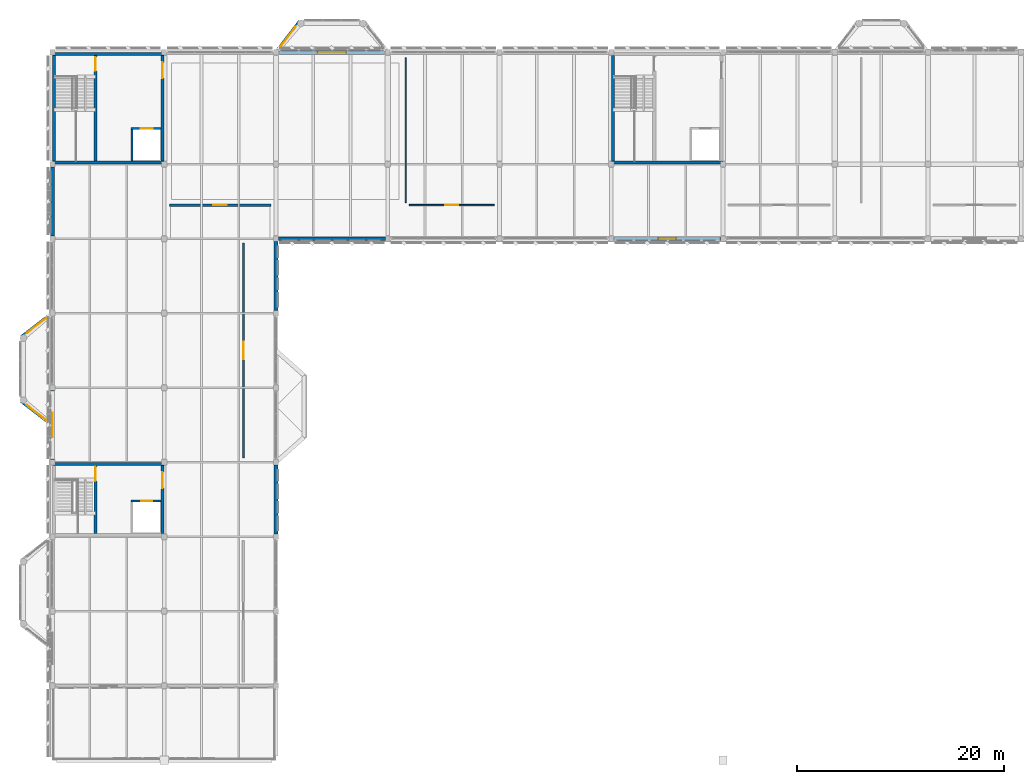
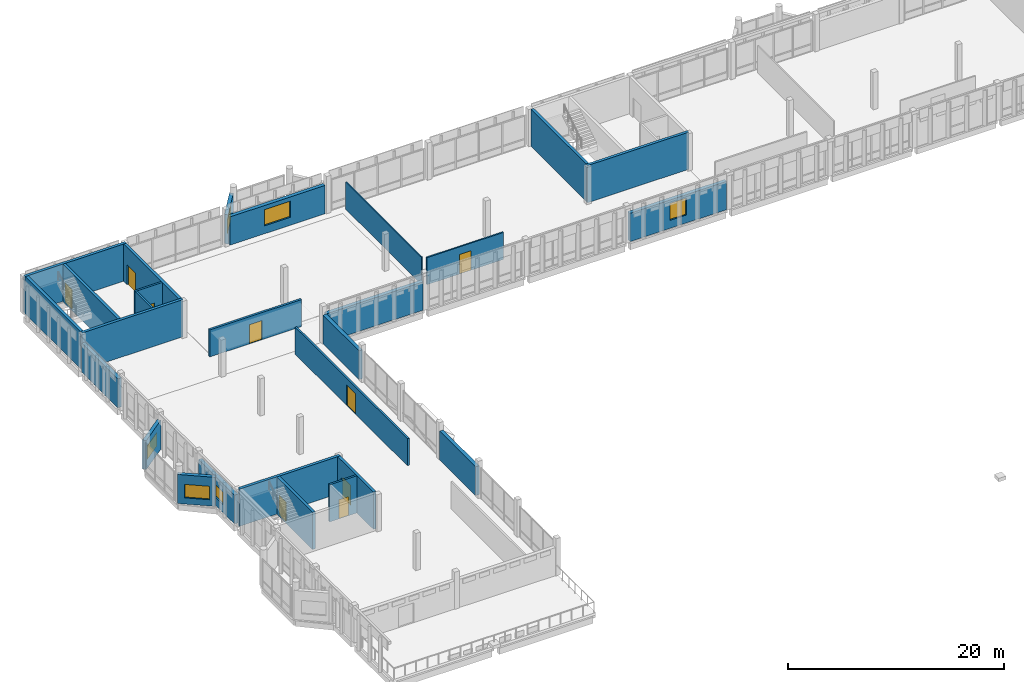
# One storey, part 57 of 72: 27 walls, 9 doors, 6 windows, 15 openings.
"""IFC4 building model written with IfcOpenShell, lengths in metres."""

from ifc_helpers import new_model, si_unit, direction, frame, frame_2d, origin, place, context, subcontext, project, spatial, rectangle, extrude, material, layer, layer_set, type_object, element, fill, save


model = new_model("IFC4")

# Units and contexts
model_context = context("Model", 3, precision=1e-05, world=origin(), true_north=direction((0.0, 1.0)))
body_context = subcontext(model_context, "Body", "Model", "MODEL_VIEW")
ifc_project = project(units=[si_unit("LENGTHUNIT", "METRE"), si_unit("AREAUNIT", "SQUARE_METRE"), si_unit("VOLUMEUNIT", "CUBIC_METRE"), si_unit("PLANEANGLEUNIT", "RADIAN"), si_unit("MASSUNIT", "GRAM", prefix="KILO")], contexts=[model_context])

# Site, building, storey
site_placement = place(None, origin())
site = spatial("IfcSite", under=ifc_project, at=site_placement, CompositionType="ELEMENT")
building_placement = place(site_placement, origin())
building = spatial("IfcBuilding", under=site, at=building_placement, Name="Lusvemor Sports Hall", CompositionType="ELEMENT")
storey_placement = place(building_placement, frame((0.0, 0.0, 15.0)))
storey = spatial("IfcBuildingStorey", under=building, at=storey_placement, Name="L03", CompositionType="ELEMENT", Elevation=15.0)

# Wall, opening, window
ifc_material_1 = material(Name="Warm terracotta Art Nouveau ceramic cladding on Concrete C40/50 backing", Category="masonry")
ifc_layer_1 = layer(ifc_material_1, 0.3798828125)
ifc_layer_set_1 = layer_set([ifc_layer_1], Name="Warm terracotta Art Nouveau ceramic cladding on Concrete C40/50 backing")
wall_type_1 = type_object("IfcWallType", Name="EW_UPPER_250", PredefinedType="STANDARD", material=ifc_layer_set_1)
wall_1_placement = place(storey_placement, frame((0.0, 75.865966796875, 0.0), z_axis=(0.0, 0.0, 1.0), x_axis=(0.0, 1.0, 0.0)))
wall_1 = element("IfcWall", 1, at=wall_1_placement, inside=storey, type_object=wall_type_1, Name="Exterior Wall EW-L03-W-0-3", PredefinedType="STANDARD", context=body_context, shape_type="SweptSolid", body=[
    extrude(rectangle(XDim=6.66796875, YDim=0.3798828125, at=frame_2d((3.333984375, 0.0))), origin(), (0.0, 0.0, 1.0), 3.260009765625),
])
opening_1_placement = place(wall_1_placement, frame((2.14404296875, 0.0, 0.89990234375)))
opening_1 = element("IfcOpeningElement", 2, at=opening_1_placement, cuts=wall_1, Name="Opening WN19", PredefinedType="OPENING", context=body_context, shape_type="SweptSolid", body=[
    extrude(rectangle(XDim=2.3798828125, YDim=1.419921875, at=frame_2d((1.18994140625, 0.7099609375))), frame((0.0, 0.18994140625, 0.0), z_axis=(0.0, -1.0, 0.0), x_axis=(1.0, 0.0, 0.0)), (0.0, 0.0, 1.0), 0.3798828125),
])
ifc_material_2 = material(Name="Solar-control laminated double glazing", Category="glass")
window_type_1 = type_object("IfcWindowType", Name="WIN_19", PartitioningType="SINGLE_PANEL", PredefinedType="WINDOW", material=ifc_material_2)
window_1_placement = place(opening_1_placement, origin())
window_1 = element("IfcWindow", 3, at=window_1_placement, inside=storey, type_object=window_type_1, Name="Wing Window L03-W-0-3", OverallHeight=1.419921875, OverallWidth=2.3798828125, PartitioningType="SINGLE_PANEL", PredefinedType="WINDOW", context=body_context, shape_type="SweptSolid", body=[
    extrude(rectangle(XDim=2.3798828125, YDim=1.419921875, at=frame_2d((1.18994140625, 0.7099609375))), frame((0.0, 0.030029296875, 0.0), z_axis=(0.0, -1.0, 0.0), x_axis=(1.0, 0.0, 0.0)), (0.0, 0.0, 1.0), 0.06005859375),
])
fill(opening_1, window_1)

# Wall
wall_2_placement = place(storey_placement, frame((0.0, 97.466064453125, 0.0), z_axis=(0.0, 0.0, 1.0), x_axis=(0.0, 1.0, 0.0)))
element("IfcWall", 4, at=wall_2_placement, inside=storey, type_object=wall_type_1, Name="Exterior Wall EW-L03-W-0-6", PredefinedType="STANDARD", context=body_context, shape_type="SweptSolid", body=[
    extrude(rectangle(XDim=6.66796875, YDim=0.3798828125, at=frame_2d((3.333984375, 0.0))), origin(), (0.0, 0.0, 1.0), 3.284912109375),
])

# Wall, opening, window
wall_3_placement = place(storey_placement, frame((21.9189453125, 115.199951171875, 0.0), z_axis=(0.0, 0.0, 1.0), x_axis=(1.0, 0.0, 0.0)))
wall_3 = element("IfcWall", 5, at=wall_3_placement, inside=storey, type_object=wall_type_1, Name="Exterior Wall EW-L03-N-1-2", PredefinedType="STANDARD", context=body_context, shape_type="SweptSolid", body=[
    extrude(rectangle(XDim=10.162109375, YDim=0.3798828125, at=frame_2d((5.0810546875, 0.0))), origin(), (0.0, 0.0, 1.0), 3.195068359375),
])
opening_2_placement = place(wall_3_placement, frame((3.7109375, 0.0, 0.89990234375)))
opening_2 = element("IfcOpeningElement", 6, at=opening_2_placement, cuts=wall_3, Name="Opening WN20", PredefinedType="OPENING", context=body_context, shape_type="SweptSolid", body=[
    extrude(rectangle(XDim=2.739990234375, YDim=1.820068359375, at=frame_2d((1.3701171875, 0.91015625))), frame((0.0, 0.18994140625, 0.0), z_axis=(0.0, -1.0, 0.0), x_axis=(1.0, 0.0, 0.0)), (0.0, 0.0, 1.0), 0.3798828125),
])
ifc_material_3 = material(Name="Solar-control laminated double glazing", Category="glass")
window_type_2 = type_object("IfcWindowType", Name="WIN_20", PartitioningType="SINGLE_PANEL", PredefinedType="WINDOW", material=ifc_material_3)
window_2_placement = place(opening_2_placement, origin())
window_2 = element("IfcWindow", 7, at=window_2_placement, inside=storey, type_object=window_type_2, Name="Wing Window L03-N-1-2", OverallHeight=1.820068359375, OverallWidth=2.739990234375, PartitioningType="SINGLE_PANEL", PredefinedType="WINDOW", context=body_context, shape_type="SweptSolid", body=[
    extrude(rectangle(XDim=2.739990234375, YDim=1.820068359375, at=frame_2d((1.3701171875, 0.91015625))), frame((0.0, 0.030029296875, 0.0), z_axis=(0.0, -1.0, 0.0), x_axis=(1.0, 0.0, 0.0)), (0.0, 0.0, 1.0), 0.06005859375),
])
fill(opening_2, window_2)

# Wall
wall_4_placement = place(storey_placement, frame((32.1640625, 97.199951171875, 0.0), z_axis=(0.0, 0.0, 1.0), x_axis=(-1.0, 0.0, 0.0)))
element("IfcWall", 8, at=wall_4_placement, inside=storey, type_object=wall_type_1, Name="Exterior Wall EW-L03-S-3-0", PredefinedType="STANDARD", context=body_context, shape_type="SweptSolid", body=[
    extrude(rectangle(XDim=10.328125, YDim=0.3798828125, at=frame_2d((5.1640625, 0.0))), origin(), (0.0, 0.0, 1.0), 3.195068359375),
])

# Wall, opening, window
wall_5_placement = place(storey_placement, frame((64.56396484375, 97.199951171875, 0.0), z_axis=(0.0, 0.0, 1.0), x_axis=(-1.0, 0.0, 0.0)))
wall_5 = element("IfcWall", 9, at=wall_5_placement, inside=storey, type_object=wall_type_1, Name="Exterior Wall EW-L03-S-3-3", PredefinedType="STANDARD", context=body_context, shape_type="SweptSolid", body=[
    extrude(rectangle(XDim=10.327880859375, YDim=0.3798828125, at=frame_2d((5.1640625, 0.0))), origin(), (0.0, 0.0, 1.0), 3.195068359375),
])
opening_3_placement = place(wall_5_placement, frame((4.303955078125, 0.0, 0.89990234375)))
opening_3 = element("IfcOpeningElement", 10, at=opening_3_placement, cuts=wall_5, Name="Opening WN25", PredefinedType="OPENING", context=body_context, shape_type="SweptSolid", body=[
    extrude(rectangle(XDim=1.719970703125, YDim=1.919921875, at=frame_2d((0.85986328125, 0.9599609375))), frame((0.0, 0.18994140625, 0.0), z_axis=(0.0, -1.0, 0.0), x_axis=(1.0, 0.0, 0.0)), (0.0, 0.0, 1.0), 0.3798828125),
])
ifc_material_4 = material(Name="Solar-control laminated double glazing", Category="glass")
window_type_3 = type_object("IfcWindowType", Name="WIN_25", PartitioningType="SINGLE_PANEL", PredefinedType="WINDOW", material=ifc_material_4)
window_3_placement = place(opening_3_placement, origin())
window_3 = element("IfcWindow", 11, at=window_3_placement, inside=storey, type_object=window_type_3, Name="Wing Window L03-S-3-3", OverallHeight=1.919921875, OverallWidth=1.719970703125, PartitioningType="SINGLE_PANEL", PredefinedType="WINDOW", context=body_context, shape_type="SweptSolid", body=[
    extrude(rectangle(XDim=1.719970703125, YDim=1.919921875, at=frame_2d((0.85986328125, 0.9599609375))), frame((0.0, 0.030029296875, 0.0), z_axis=(0.0, -1.0, 0.0), x_axis=(1.0, 0.0, 0.0)), (0.0, 0.0, 1.0), 0.06005859375),
])
fill(opening_3, window_3)

# Walls
for number, where, z_axis, x_axis, name in (
    (12, (21.60009765625, 75.333984375, 0.0), (0.0, 0.0, 1.0), (0.0, -1.0, 0.0), "Exterior Wall EW-L03-E-4-2"),
    (13, (21.60009765625, 96.93408203125, 0.0), (0.0, 0.0, 1.0), (0.0, -1.0, 0.0), "Exterior Wall EW-L03-E-4-5"),
):
    element("IfcWall", number, at=place(storey_placement, frame(where, z_axis=z_axis, x_axis=x_axis)), inside=storey, type_object=wall_type_1, Name=name, PredefinedType="STANDARD", context=body_context, shape_type="SweptSolid", body=[
        extrude(rectangle(XDim=6.66796875, YDim=0.3798828125, at=frame_2d((3.333984375, 0.0))), origin(), (0.0, 0.0, 1.0), 3.260009765625),
    ])

# Wall, opening, window
ifc_material_5 = material(Name="Emerald polychrome glazed ceramic cladding on Concrete C40/50 backing", Category="concrete")
ifc_layer_2 = layer(ifc_material_5, 0.364990234375)
ifc_layer_set_2 = layer_set([ifc_layer_2], Name="Emerald polychrome glazed ceramic cladding on Concrete C40/50 backing")
wall_type_2 = type_object("IfcWallType", Name="EW_WAVE_CER_365", PredefinedType="STANDARD", material=ifc_layer_set_2)
wall_6_placement = place(storey_placement, frame((-0.189697265625, 79.346923828125, 0.0), z_axis=(0.0, 0.0, 1.0), x_axis=(-0.790723707614, 0.612173192991, 0.0)))
wall_6 = element("IfcWall", 14, at=wall_6_placement, inside=storey, type_object=wall_type_2, Name="Art Nouveau Bow Wall EW-BOW-W2-L03-1", PredefinedType="STANDARD", context=body_context, shape_type="SweptSolid", body=[
    extrude(rectangle(XDim=3.560546875, YDim=0.364990234375, at=frame_2d((1.7802734375, 0.0))), origin(), (0.0, 0.0, 1.0), 3.280029296875),
])
opening_4_placement = place(wall_6_placement, frame((0.56005859375, 0.0, 0.699951171875)))
opening_4 = element("IfcOpeningElement", 15, at=opening_4_placement, cuts=wall_6, Name="Opening WN21", PredefinedType="OPENING", context=body_context, shape_type="SweptSolid", body=[
    extrude(rectangle(XDim=2.320068359375, YDim=1.52001953125, at=frame_2d((1.16015625, 0.760009765625))), frame((0.0, 0.1826171875, 0.0), z_axis=(0.0, -1.0, 0.0), x_axis=(1.0, 0.0, 0.0)), (0.0, 0.0, 1.0), 0.364990234375),
])
ifc_material_6 = material(Name="Solar-control laminated double glazing", Category="glass")
window_type_4 = type_object("IfcWindowType", Name="WIN_21", PartitioningType="SINGLE_PANEL", PredefinedType="WINDOW", material=ifc_material_6)
window_4_placement = place(opening_4_placement, origin())
window_4 = element("IfcWindow", 16, at=window_4_placement, inside=storey, type_object=window_type_4, Name="Art Nouveau Bow Window BOW-W2 L03-1", OverallHeight=1.52001953125, OverallWidth=2.320068359375, PartitioningType="SINGLE_PANEL", PredefinedType="WINDOW", context=body_context, shape_type="SweptSolid", body=[
    extrude(rectangle(XDim=2.320068359375, YDim=1.52001953125, at=frame_2d((1.16015625, 0.760009765625))), frame((0.0, 0.030029296875, 0.0), z_axis=(0.0, -1.0, 0.0), x_axis=(1.0, 0.0, 0.0)), (0.0, 0.0, 1.0), 0.06005859375),
])
fill(opening_4, window_4)

wall_7_placement = place(storey_placement, frame((-3.005126953125, 87.673583984375, 0.0), z_axis=(0.0, 0.0, 1.0), x_axis=(0.790714138773, 0.612185552545, 0.0)))
wall_7 = element("IfcWall", 17, at=wall_7_placement, inside=storey, type_object=wall_type_2, Name="Art Nouveau Bow Wall EW-BOW-W2-L03-3", PredefinedType="STANDARD", context=body_context, shape_type="SweptSolid", body=[
    extrude(rectangle(XDim=3.585693359375, YDim=0.364990234375, at=frame_2d((1.79296875, 0.0))), origin(), (0.0, 0.0, 1.0), 3.280029296875),
])
opening_5_placement = place(wall_7_placement, frame((0.679931640625, 0.0, 0.699951171875)))
opening_5 = element("IfcOpeningElement", 18, at=opening_5_placement, cuts=wall_7, Name="Opening WN21", PredefinedType="OPENING", context=body_context, shape_type="SweptSolid", body=[
    extrude(rectangle(XDim=2.320068359375, YDim=1.52001953125, at=frame_2d((1.16015625, 0.760009765625))), frame((0.0, 0.1826171875, 0.0), z_axis=(0.0, -1.0, 0.0), x_axis=(1.0, 0.0, 0.0)), (0.0, 0.0, 1.0), 0.364990234375),
])
window_5_placement = place(opening_5_placement, origin())
window_5 = element("IfcWindow", 19, at=window_5_placement, inside=storey, type_object=window_type_4, Name="Art Nouveau Bow Window BOW-W2 L03-3", OverallHeight=1.52001953125, OverallWidth=2.320068359375, PartitioningType="SINGLE_PANEL", PredefinedType="WINDOW", context=body_context, shape_type="SweptSolid", body=[
    extrude(rectangle(XDim=2.320068359375, YDim=1.52001953125, at=frame_2d((1.16015625, 0.760009765625))), frame((0.0, 0.030029296875, 0.0), z_axis=(0.0, -1.0, 0.0), x_axis=(1.0, 0.0, 0.0)), (0.0, 0.0, 1.0), 0.06005859375),
])
fill(opening_5, window_5)

wall_8_placement = place(storey_placement, frame((21.746826171875, 115.389892578125, 0.0), z_axis=(0.0, 0.0, 1.0), x_axis=(0.612206385164, 0.790698009334, 0.0)))
wall_8 = element("IfcWall", 20, at=wall_8_placement, inside=storey, type_object=wall_type_2, Name="Art Nouveau Bow Wall EW-BOW-N1-L03-1", PredefinedType="STANDARD", context=body_context, shape_type="SweptSolid", body=[
    extrude(rectangle(XDim=3.560302734375, YDim=0.364990234375, at=frame_2d((1.7802734375, 0.0))), origin(), (0.0, 0.0, 1.0), 3.280029296875),
])
opening_6_placement = place(wall_8_placement, frame((0.56005859375, 0.0, 0.699951171875)))
opening_6 = element("IfcOpeningElement", 21, at=opening_6_placement, cuts=wall_8, Name="Opening WN21", PredefinedType="OPENING", context=body_context, shape_type="SweptSolid", body=[
    extrude(rectangle(XDim=2.320068359375, YDim=1.52001953125, at=frame_2d((1.16015625, 0.760009765625))), frame((0.0, 0.1826171875, 0.0), z_axis=(0.0, -1.0, 0.0), x_axis=(1.0, 0.0, 0.0)), (0.0, 0.0, 1.0), 0.364990234375),
])
window_6_placement = place(opening_6_placement, origin())
window_6 = element("IfcWindow", 22, at=window_6_placement, inside=storey, type_object=window_type_4, Name="Art Nouveau Bow Window BOW-N1 L03-1", OverallHeight=1.52001953125, OverallWidth=2.320068359375, PartitioningType="SINGLE_PANEL", PredefinedType="WINDOW", context=body_context, shape_type="SweptSolid", body=[
    extrude(rectangle(XDim=2.320068359375, YDim=1.52001953125, at=frame_2d((1.16015625, 0.760009765625))), frame((0.0, 0.030029296875, 0.0), z_axis=(0.0, -1.0, 0.0), x_axis=(1.0, 0.0, 0.0)), (0.0, 0.0, 1.0), 0.06005859375),
])
fill(opening_6, window_6)

# Wall, opening, door
ifc_material_7 = material(Name="Double-leaf acoustic gypsum board on metal studs")
ifc_layer_3 = layer(ifc_material_7, 0.199951171875)
ifc_layer_set_3 = layer_set([ifc_layer_3], Name="Double-leaf acoustic gypsum board on metal studs")
wall_type_3 = type_object("IfcWallType", Name="IW_ACOUST_202", PredefinedType="STANDARD", material=ifc_layer_set_3)
wall_9_placement = place(storey_placement, frame((18.449951171875, 76.0, 0.0), z_axis=(0.0, 0.0, 1.0), x_axis=(0.0, 1.0, 0.0)))
wall_9 = element("IfcWall", 23, at=wall_9_placement, inside=storey, type_object=wall_type_3, Name="Partition IW-L03-W-DANCE4", PredefinedType="STANDARD", context=body_context, shape_type="SweptSolid", body=[
    extrude(rectangle(XDim=20.800048828125, YDim=0.199951171875, at=frame_2d((10.39990234375, 0.0))), origin(), (0.0, 0.0, 1.0), 3.06005859375),
])
opening_7_placement = place(wall_9_placement, frame((9.570068359375, 0.0, 0.0)))
opening_7 = element("IfcOpeningElement", 24, at=opening_7_placement, cuts=wall_9, Name="Opening ID06", PredefinedType="OPENING", context=body_context, shape_type="SweptSolid", body=[
    extrude(rectangle(XDim=1.659912109375, YDim=2.320068359375, at=frame_2d((0.830078125, 1.16015625))), frame((0.0, 0.10009765625, 0.0), z_axis=(0.0, -1.0, 0.0), x_axis=(1.0, 0.0, 0.0)), (0.0, 0.0, 1.0), 0.199951171875),
])
ifc_material_8 = material(Name="Acoustic solid-core hardwood door leaf in steel frame", Category="steel")
door_type_1 = type_object("IfcDoorType", Name="IDR_DANCE_166", OperationType="NOTDEFINED", PredefinedType="DOOR", material=ifc_material_8)
door_1_placement = place(opening_7_placement, origin())
door_1 = element("IfcDoor", 25, at=door_1_placement, inside=storey, type_object=door_type_1, Name="DR-199", OperationType="SINGLE_SWING_LEFT", OverallHeight=2.320068359375, OverallWidth=1.659912109375, PredefinedType="DOOR", context=body_context, shape_type="SweptSolid", body=[
    extrude(rectangle(XDim=1.659912109375, YDim=2.320068359375, at=frame_2d((0.830078125, 1.16015625))), frame((0.0, 0.02490234375, 0.0), z_axis=(0.0, -1.0, 0.0), x_axis=(1.0, 0.0, 0.0)), (0.0, 0.0, 1.0), 0.050048828125),
])
fill(opening_7, door_1)

# Wall
ifc_material_9 = material(Name="Double-leaf acoustic gypsum board on metal studs")
ifc_layer_4 = layer(ifc_material_9, 0.1201171875)
ifc_layer_set_4 = layer_set([ifc_layer_4], Name="Double-leaf acoustic gypsum board on metal studs")
wall_type_4 = type_object("IfcWallType", Name="IW_PART_124", PredefinedType="STANDARD", material=ifc_layer_set_4)
wall_10_placement = place(storey_placement, frame((34.14990234375, 100.699951171875, 0.0), z_axis=(0.0, 0.0, 1.0), x_axis=(0.0, 1.0, 0.0)))
element("IfcWall", 26, at=wall_10_placement, inside=storey, type_object=wall_type_4, Name="Partition IW-L03-CNNDIV-34", PredefinedType="STANDARD", context=body_context, shape_type="SweptSolid", body=[
    extrude(rectangle(XDim=14.0, YDim=0.1201171875, at=frame_2d((7.0, 0.0))), origin(), (0.0, 0.0, 1.0), 3.06005859375),
])

# Wall, opening, door
ifc_material_10 = material(Name="Double-leaf acoustic gypsum board on metal studs")
ifc_layer_5 = layer(ifc_material_10, 0.14990234375)
ifc_layer_set_5 = layer_set([ifc_layer_5], Name="Double-leaf acoustic gypsum board on metal studs")
wall_type_5 = type_object("IfcWallType", Name="IW_PART_152", PredefinedType="STANDARD", material=ifc_layer_set_5)
wall_11_placement = place(storey_placement, frame((34.5, 100.449951171875, 0.0), z_axis=(0.0, 0.0, 1.0), x_axis=(1.0, 0.0, 0.0)))
wall_11 = element("IfcWall", 27, at=wall_11_placement, inside=storey, type_object=wall_type_5, Name="Partition IW-L03-CNN-CLIN6", PredefinedType="STANDARD", context=body_context, shape_type="SweptSolid", body=[
    extrude(rectangle(XDim=8.199951171875, YDim=0.14990234375, at=frame_2d((4.10009765625, 0.0))), origin(), (0.0, 0.0, 1.0), 3.06005859375),
])
opening_8_placement = place(wall_11_placement, frame((3.469970703125, 0.0, 0.0)))
opening_8 = element("IfcOpeningElement", 28, at=opening_8_placement, cuts=wall_11, Name="Opening ID07", PredefinedType="OPENING", context=body_context, shape_type="SweptSolid", body=[
    extrude(rectangle(XDim=1.260009765625, YDim=2.199951171875, at=frame_2d((0.6298828125, 1.10009765625))), frame((0.0, 0.074951171875, 0.0), z_axis=(0.0, -1.0, 0.0), x_axis=(1.0, 0.0, 0.0)), (0.0, 0.0, 1.0), 0.14990234375),
])
ifc_material_11 = material(Name="Acoustic solid-core hardwood door leaf in steel frame", Category="steel")
door_type_2 = type_object("IfcDoorType", Name="IDR_CLINIC_126", OperationType="NOTDEFINED", PredefinedType="DOOR", material=ifc_material_11)
door_2_placement = place(opening_8_placement, origin())
door_2 = element("IfcDoor", 29, at=door_2_placement, inside=storey, type_object=door_type_2, Name="DR-201", OperationType="SINGLE_SWING_LEFT", OverallHeight=2.199951171875, OverallWidth=1.260009765625, PredefinedType="DOOR", context=body_context, shape_type="SweptSolid", body=[
    extrude(rectangle(XDim=1.260009765625, YDim=2.199951171875, at=frame_2d((0.6298828125, 1.10009765625))), frame((0.0, 0.02490234375, 0.0), z_axis=(0.0, -1.0, 0.0), x_axis=(1.0, 0.0, 0.0)), (0.0, 0.0, 1.0), 0.050048828125),
])
fill(opening_8, door_2)

ifc_material_12 = material(Name="Concrete C40/50", Category="concrete")
ifc_layer_6 = layer(ifc_material_12, 0.2099609375)
ifc_layer_set_6 = layer_set([ifc_layer_6], Name="Concrete C40/50")
wall_type_6 = type_object("IfcWallType", Name="IW_SHFT_212", PredefinedType="STANDARD", material=ifc_layer_set_6)
wall_12_placement = place(storey_placement, frame((7.590087890625, 107.85009765625, 0.0), z_axis=(0.0, 0.0, 1.0), x_axis=(1.0, 0.0, 0.0)))
wall_12 = element("IfcWall", 30, at=wall_12_placement, inside=storey, type_object=wall_type_6, Name="Lift LF-01 Shaft Front Wall (L03)", PredefinedType="STANDARD", context=body_context, shape_type="SweptSolid", body=[
    extrude(rectangle(XDim=2.909912109375, YDim=0.2099609375, at=frame_2d((1.455078125, 0.0))), origin(), (0.0, 0.0, 1.0), 4.199951171875),
])
opening_9_placement = place(wall_12_placement, frame((0.93994140625, 0.0, 0.0)))
opening_9 = element("IfcOpeningElement", 31, at=opening_9_placement, cuts=wall_12, Name="Opening LD-01", PredefinedType="OPENING", context=body_context, shape_type="SweptSolid", body=[
    extrude(rectangle(XDim=1.139892578125, YDim=2.159912109375, at=frame_2d((0.56982421875, 1.080078125))), frame((0.0, 0.10498046875, 0.0), z_axis=(0.0, -1.0, 0.0), x_axis=(1.0, 0.0, 0.0)), (0.0, 0.0, 1.0), 0.2099609375),
])
ifc_material_13 = material(Name="Brushed stainless-steel sliding lift landing door", Category="steel")
door_type_3 = type_object("IfcDoorType", Name="LIFT_DOOR_FF_114", OperationType="NOTDEFINED", PredefinedType="DOOR", material=ifc_material_13)
door_3_placement = place(opening_9_placement, origin())
door_3 = element("IfcDoor", 32, at=door_3_placement, inside=storey, type_object=door_type_3, Name="DR-040", OperationType="SLIDING_TO_LEFT", OverallHeight=2.159912109375, OverallWidth=1.139892578125, PredefinedType="DOOR", context=body_context, shape_type="SweptSolid", body=[
    extrude(rectangle(XDim=1.139892578125, YDim=2.159912109375, at=frame_2d((0.56982421875, 1.080078125))), frame((0.0, 0.02490234375, 0.0), z_axis=(0.0, -1.0, 0.0), x_axis=(1.0, 0.0, 0.0)), (0.0, 0.0, 1.0), 0.050048828125),
])
fill(opening_9, door_3)

# Wall
wall_13_placement = place(storey_placement, frame((7.695068359375, 104.699951171875, 0.0), z_axis=(0.0, 0.0, 1.0), x_axis=(0.0, 1.0, 0.0)))
element("IfcWall", 33, at=wall_13_placement, inside=storey, type_object=wall_type_6, Name="Lift LF-01 Shaft Side Wall (L03)", PredefinedType="STANDARD", context=body_context, shape_type="SweptSolid", body=[
    extrude(rectangle(XDim=3.045166015625, YDim=0.2099609375, at=frame_2d((1.5224609375, 0.0))), origin(), (0.0, 0.0, 1.0), 4.199951171875),
])

# Wall, opening, door
wall_14_placement = place(storey_placement, frame((7.590087890625, 71.85009765625, 0.0), z_axis=(0.0, 0.0, 1.0), x_axis=(1.0, 0.0, 0.0)))
wall_14 = element("IfcWall", 34, at=wall_14_placement, inside=storey, type_object=wall_type_6, Name="Lift LP-02 Shaft Front Wall (L03)", PredefinedType="STANDARD", context=body_context, shape_type="SweptSolid", body=[
    extrude(rectangle(XDim=2.909912109375, YDim=0.2099609375, at=frame_2d((1.455078125, 0.0))), origin(), (0.0, 0.0, 1.0), 4.199951171875),
])
opening_10_placement = place(wall_14_placement, frame((0.989990234375, 0.0, 0.0)))
opening_10 = element("IfcOpeningElement", 35, at=opening_10_placement, cuts=wall_14, Name="Opening LD-02", PredefinedType="OPENING", context=body_context, shape_type="SweptSolid", body=[
    extrude(rectangle(XDim=1.0400390625, YDim=2.159912109375, at=frame_2d((0.52001953125, 1.080078125))), frame((0.0, 0.10498046875, 0.0), z_axis=(0.0, -1.0, 0.0), x_axis=(1.0, 0.0, 0.0)), (0.0, 0.0, 1.0), 0.2099609375),
])
ifc_material_14 = material(Name="Brushed stainless-steel sliding lift landing door", Category="steel")
door_type_4 = type_object("IfcDoorType", Name="LIFT_DOOR_PAX_104", OperationType="NOTDEFINED", PredefinedType="DOOR", material=ifc_material_14)
door_4_placement = place(opening_10_placement, origin())
door_4 = element("IfcDoor", 36, at=door_4_placement, inside=storey, type_object=door_type_4, Name="DR-071", OperationType="SLIDING_TO_LEFT", OverallHeight=2.159912109375, OverallWidth=1.0400390625, PredefinedType="DOOR", context=body_context, shape_type="SweptSolid", body=[
    extrude(rectangle(XDim=1.0400390625, YDim=2.159912109375, at=frame_2d((0.52001953125, 1.080078125))), frame((0.0, 0.02490234375, 0.0), z_axis=(0.0, -1.0, 0.0), x_axis=(1.0, 0.0, 0.0)), (0.0, 0.0, 1.0), 0.050048828125),
])
fill(opening_10, door_4)

ifc_material_15 = material(Name="Moisture-resistant tiled plumbing service wall")
ifc_layer_7 = layer(ifc_material_15, 0.22998046875)
ifc_layer_set_7 = layer_set([ifc_layer_7], Name="Moisture-resistant tiled plumbing service wall")
wall_type_7 = type_object("IfcWallType", Name="PW_WET_234", PredefinedType="PLUMBINGWALL", material=ifc_layer_set_7)
wall_15_placement = place(storey_placement, frame((11.300048828125, 100.449951171875, 0.0), z_axis=(0.0, 0.0, 1.0), x_axis=(1.0, 0.0, 0.0)))
wall_15 = element("IfcWall", 37, at=wall_15_placement, inside=storey, type_object=wall_type_7, Name="Partition IW-L03-CNN-CHGTRK", PredefinedType="PLUMBINGWALL", context=body_context, shape_type="SweptSolid", body=[
    extrude(rectangle(XDim=9.800048828125, YDim=0.22998046875, at=frame_2d((4.89990234375, 0.0))), origin(), (0.0, 0.0, 1.0), 3.06005859375),
])
opening_11_placement = place(wall_15_placement, frame((4.239990234375, 0.0, 0.0)))
opening_11 = element("IfcOpeningElement", 38, at=opening_11_placement, cuts=wall_15, Name="Opening ID09", PredefinedType="OPENING", context=body_context, shape_type="SweptSolid", body=[
    extrude(rectangle(XDim=1.320068359375, YDim=2.159912109375, at=frame_2d((0.66015625, 1.080078125))), frame((0.0, 0.114990234375, 0.0), z_axis=(0.0, -1.0, 0.0), x_axis=(1.0, 0.0, 0.0)), (0.0, 0.0, 1.0), 0.22998046875),
])
ifc_material_16 = material(Name="Acoustic solid-core hardwood door leaf in steel frame", Category="steel")
door_type_5 = type_object("IfcDoorType", Name="IDR_CHG_132", OperationType="NOTDEFINED", PredefinedType="DOOR", material=ifc_material_16)
door_5_placement = place(opening_11_placement, origin())
door_5 = element("IfcDoor", 39, at=door_5_placement, inside=storey, type_object=door_type_5, Name="DR-200", OperationType="SINGLE_SWING_RIGHT", OverallHeight=2.159912109375, OverallWidth=1.320068359375, PredefinedType="DOOR", context=body_context, shape_type="SweptSolid", body=[
    extrude(rectangle(XDim=1.320068359375, YDim=2.159912109375, at=frame_2d((0.66015625, 1.080078125))), frame((0.0, 0.02490234375, 0.0), z_axis=(0.0, -1.0, 0.0), x_axis=(1.0, 0.0, 0.0)), (0.0, 0.0, 1.0), 0.050048828125),
])
fill(opening_11, door_5)

# Walls
ifc_material_17 = material(Name="Concrete C40/50", Category="concrete")
ifc_layer_8 = layer(ifc_material_17, 0.300048828125)
ifc_layer_set_8 = layer_set([ifc_layer_8], Name="Concrete C40/50")
wall_type_8 = type_object("IfcWallType", Name="WALL_CORE_300_INT", PredefinedType="SHEAR", material=ifc_layer_set_8)
for number, where, z_axis, x_axis, name in (
    (40, (10.800048828125, 104.550048828125, 0.0), (0.0, 0.0, 1.0), (-1.0, 0.0, 0.0), "Core C1 Northwest Shear Wall S (L03)"),
    (41, (0.0, 115.050048828125, 0.0), (0.0, 0.0, 1.0), (1.0, 0.0, 0.0), "Core C1 Northwest Shear Wall N (L03)"),
):
    element("IfcWall", number, at=place(storey_placement, frame(where, z_axis=z_axis, x_axis=x_axis)), inside=storey, type_object=wall_type_8, Name=name, PredefinedType="SHEAR", context=body_context, shape_type="SweptSolid", body=[
        extrude(rectangle(XDim=10.800048828125, YDim=0.300048828125, at=frame_2d((5.39990234375, 0.0))), origin(), (0.0, 0.0, 1.0), 4.199951171875),
    ])

# Wall, opening, door
wall_16_placement = place(storey_placement, frame((10.64990234375, 114.89990234375, 0.0), z_axis=(0.0, 0.0, 1.0), x_axis=(0.0, -1.0, 0.0)))
wall_16 = element("IfcWall", 42, at=wall_16_placement, inside=storey, type_object=wall_type_8, Name="Core C1 Northwest Shear Wall E (L03)", PredefinedType="SHEAR", context=body_context, shape_type="SweptSolid", body=[
    extrude(rectangle(XDim=10.199951171875, YDim=0.300048828125, at=frame_2d((5.10009765625, 0.0))), origin(), (0.0, 0.0, 1.0), 4.199951171875),
])
opening_12_placement = place(wall_16_placement, frame((0.64990234375, 0.0, 0.0)))
opening_12 = element("IfcOpeningElement", 43, at=opening_12_placement, cuts=wall_16, Name="Opening DR-FD60-01", PredefinedType="OPENING", context=body_context, shape_type="SweptSolid", body=[
    extrude(rectangle(XDim=1.5400390625, YDim=2.219970703125, at=frame_2d((0.77001953125, 1.10986328125))), frame((0.0, 0.14990234375, 0.0), z_axis=(0.0, -1.0, 0.0), x_axis=(1.0, 0.0, 0.0)), (0.0, 0.0, 1.0), 0.300048828125),
])
ifc_material_18 = material(Name="Fire-rated insulated painted steel door assembly", Category="steel")
door_type_6 = type_object("IfcDoorType", Name="IDR_LOBBY_FD60_154", OperationType="NOTDEFINED", PredefinedType="DOOR", material=ifc_material_18)
door_6_placement = place(opening_12_placement, origin())
door_6 = element("IfcDoor", 44, at=door_6_placement, inside=storey, type_object=door_type_6, Name="DR-049", OperationType="SINGLE_SWING_RIGHT", OverallHeight=2.219970703125, OverallWidth=1.5400390625, PredefinedType="DOOR", context=body_context, shape_type="SweptSolid", body=[
    extrude(rectangle(XDim=1.5400390625, YDim=2.219970703125, at=frame_2d((0.77001953125, 1.10986328125))), frame((0.0, 0.02490234375, 0.0), z_axis=(0.0, -1.0, 0.0), x_axis=(1.0, 0.0, 0.0)), (0.0, 0.0, 1.0), 0.050048828125),
])
fill(opening_12, door_6)

wall_17_placement = place(storey_placement, frame((4.14990234375, 104.699951171875, 0.0), z_axis=(0.0, 0.0, 1.0), x_axis=(0.0, 1.0, 0.0)))
wall_17 = element("IfcWall", 45, at=wall_17_placement, inside=storey, type_object=wall_type_8, Name="Core C1 Northwest Shear Wall M (L03)", PredefinedType="SHEAR", context=body_context, shape_type="SweptSolid", body=[
    extrude(rectangle(XDim=10.199951171875, YDim=0.300048828125, at=frame_2d((5.10009765625, 0.0))), origin(), (0.0, 0.0, 1.0), 4.199951171875),
])
opening_13_placement = place(wall_17_placement, frame((8.7099609375, 0.0, 0.0)))
opening_13 = element("IfcOpeningElement", 46, at=opening_13_placement, cuts=wall_17, Name="Opening DR-FD90-02", PredefinedType="OPENING", context=body_context, shape_type="SweptSolid", body=[
    extrude(rectangle(XDim=1.340087890625, YDim=2.179931640625, at=frame_2d((0.669921875, 1.08984375))), frame((0.0, 0.14990234375, 0.0), z_axis=(0.0, -1.0, 0.0), x_axis=(1.0, 0.0, 0.0)), (0.0, 0.0, 1.0), 0.300048828125),
])
ifc_material_19 = material(Name="Fire-rated insulated painted steel door assembly", Category="steel")
door_type_7 = type_object("IfcDoorType", Name="IDR_STAIR_FD90_134", OperationType="NOTDEFINED", PredefinedType="DOOR", material=ifc_material_19)
door_7_placement = place(opening_13_placement, origin())
door_7 = element("IfcDoor", 47, at=door_7_placement, inside=storey, type_object=door_type_7, Name="DR-048", OperationType="SINGLE_SWING_LEFT", OverallHeight=2.179931640625, OverallWidth=1.340087890625, PredefinedType="DOOR", context=body_context, shape_type="SweptSolid", body=[
    extrude(rectangle(XDim=1.340087890625, YDim=2.179931640625, at=frame_2d((0.669921875, 1.08984375))), frame((0.0, 0.02490234375, 0.0), z_axis=(0.0, -1.0, 0.0), x_axis=(1.0, 0.0, 0.0)), (0.0, 0.0, 1.0), 0.050048828125),
])
fill(opening_13, door_7)

# Walls
wall_18_placement = place(storey_placement, frame((64.800048828125, 104.550048828125, 0.0), z_axis=(0.0, 0.0, 1.0), x_axis=(-1.0, 0.0, 0.0)))
element("IfcWall", 48, at=wall_18_placement, inside=storey, type_object=wall_type_8, Name="Core C2 North-West-Mid Shear Wall S (L03)", PredefinedType="SHEAR", context=body_context, shape_type="SweptSolid", body=[
    extrude(rectangle(XDim=10.800048828125, YDim=0.300048828125, at=frame_2d((5.39990234375, 0.0))), origin(), (0.0, 0.0, 1.0), 4.199951171875),
])
wall_19_placement = place(storey_placement, frame((54.14990234375, 104.699951171875, 0.0), z_axis=(0.0, 0.0, 1.0), x_axis=(0.0, 1.0, 0.0)))
element("IfcWall", 49, at=wall_19_placement, inside=storey, type_object=wall_type_8, Name="Core C2 North-West-Mid Shear Wall W (L03)", PredefinedType="SHEAR", context=body_context, shape_type="SweptSolid", body=[
    extrude(rectangle(XDim=10.199951171875, YDim=0.300048828125, at=frame_2d((5.10009765625, 0.0))), origin(), (0.0, 0.0, 1.0), 4.199951171875),
])
wall_20_placement = place(storey_placement, frame((0.0, 75.449951171875, 0.0), z_axis=(0.0, 0.0, 1.0), x_axis=(1.0, 0.0, 0.0)))
element("IfcWall", 50, at=wall_20_placement, inside=storey, type_object=wall_type_8, Name="Core C3 West-Central Shear Wall N (L03)", PredefinedType="SHEAR", context=body_context, shape_type="SweptSolid", body=[
    extrude(rectangle(XDim=10.800048828125, YDim=0.300048828125, at=frame_2d((5.39990234375, 0.0))), origin(), (0.0, 0.0, 1.0), 4.199951171875),
])

# Wall, opening, door
wall_21_placement = place(storey_placement, frame((10.64990234375, 75.300048828125, 0.0), z_axis=(0.0, 0.0, 1.0), x_axis=(0.0, -1.0, 0.0)))
wall_21 = element("IfcWall", 51, at=wall_21_placement, inside=storey, type_object=wall_type_8, Name="Core C3 West-Central Shear Wall E (L03)", PredefinedType="SHEAR", context=body_context, shape_type="SweptSolid", body=[
    extrude(rectangle(XDim=6.60009765625, YDim=0.300048828125, at=frame_2d((3.300048828125, 0.0))), origin(), (0.0, 0.0, 1.0), 4.199951171875),
])
opening_14_placement = place(wall_21_placement, frame((0.64990234375, 0.0, 0.0)))
opening_14 = element("IfcOpeningElement", 52, at=opening_14_placement, cuts=wall_21, Name="Opening DR-FD60-01", PredefinedType="OPENING", context=body_context, shape_type="SweptSolid", body=[
    extrude(rectangle(XDim=1.5400390625, YDim=2.219970703125, at=frame_2d((0.77001953125, 1.10986328125))), frame((0.0, 0.14990234375, 0.0), z_axis=(0.0, -1.0, 0.0), x_axis=(1.0, 0.0, 0.0)), (0.0, 0.0, 1.0), 0.300048828125),
])
door_8_placement = place(opening_14_placement, origin())
door_8 = element("IfcDoor", 53, at=door_8_placement, inside=storey, type_object=door_type_6, Name="DR-080", OperationType="SINGLE_SWING_LEFT", OverallHeight=2.219970703125, OverallWidth=1.5400390625, PredefinedType="DOOR", context=body_context, shape_type="SweptSolid", body=[
    extrude(rectangle(XDim=1.5400390625, YDim=2.219970703125, at=frame_2d((0.77001953125, 1.10986328125))), frame((0.0, 0.02490234375, 0.0), z_axis=(0.0, -1.0, 0.0), x_axis=(1.0, 0.0, 0.0)), (0.0, 0.0, 1.0), 0.050048828125),
])
fill(opening_14, door_8)

wall_22_placement = place(storey_placement, frame((4.14990234375, 68.699951171875, 0.0), z_axis=(0.0, 0.0, 1.0), x_axis=(0.0, 1.0, 0.0)))
wall_22 = element("IfcWall", 54, at=wall_22_placement, inside=storey, type_object=wall_type_8, Name="Core C3 West-Central Shear Wall M (L03)", PredefinedType="SHEAR", context=body_context, shape_type="SweptSolid", body=[
    extrude(rectangle(XDim=6.60009765625, YDim=0.300048828125, at=frame_2d((3.300048828125, 0.0))), origin(), (0.0, 0.0, 1.0), 4.199951171875),
])
opening_15_placement = place(wall_22_placement, frame((5.110107421875, 0.0, 0.0)))
opening_15 = element("IfcOpeningElement", 55, at=opening_15_placement, cuts=wall_22, Name="Opening DR-FD90-02", PredefinedType="OPENING", context=body_context, shape_type="SweptSolid", body=[
    extrude(rectangle(XDim=1.340087890625, YDim=2.179931640625, at=frame_2d((0.669921875, 1.08984375))), frame((0.0, 0.14990234375, 0.0), z_axis=(0.0, -1.0, 0.0), x_axis=(1.0, 0.0, 0.0)), (0.0, 0.0, 1.0), 0.300048828125),
])
door_9_placement = place(opening_15_placement, origin())
door_9 = element("IfcDoor", 56, at=door_9_placement, inside=storey, type_object=door_type_7, Name="DR-079", OperationType="SINGLE_SWING_RIGHT", OverallHeight=2.179931640625, OverallWidth=1.340087890625, PredefinedType="DOOR", context=body_context, shape_type="SweptSolid", body=[
    extrude(rectangle(XDim=1.340087890625, YDim=2.179931640625, at=frame_2d((0.669921875, 1.08984375))), frame((0.0, 0.02490234375, 0.0), z_axis=(0.0, -1.0, 0.0), x_axis=(1.0, 0.0, 0.0)), (0.0, 0.0, 1.0), 0.050048828125),
])
fill(opening_15, door_9)

# Wall
ifc_material_20 = material(Name="Concrete C40/50", Category="concrete")
ifc_layer_9 = layer(ifc_material_20, 0.324951171875)
ifc_layer_set_9 = layer_set([ifc_layer_9], Name="Concrete C40/50")
wall_type_9 = type_object("IfcWallType", Name="WALL_CORE_325_EXT", PredefinedType="SHEAR", material=ifc_layer_set_9)
wall_23_placement = place(storey_placement, frame((0.14990234375, 104.699951171875, 0.0), z_axis=(0.0, 0.0, 1.0), x_axis=(0.0, 1.0, 0.0)))
element("IfcWall", 57, at=wall_23_placement, inside=storey, type_object=wall_type_9, Name="Core C1 Northwest Shear Wall W (L03)", PredefinedType="SHEAR", context=body_context, shape_type="SweptSolid", body=[
    extrude(rectangle(XDim=10.199951171875, YDim=0.324951171875, at=frame_2d((5.10009765625, 0.0))), origin(), (0.0, 0.0, 1.0), 4.199951171875),
])

save(model, "model.ifc")
